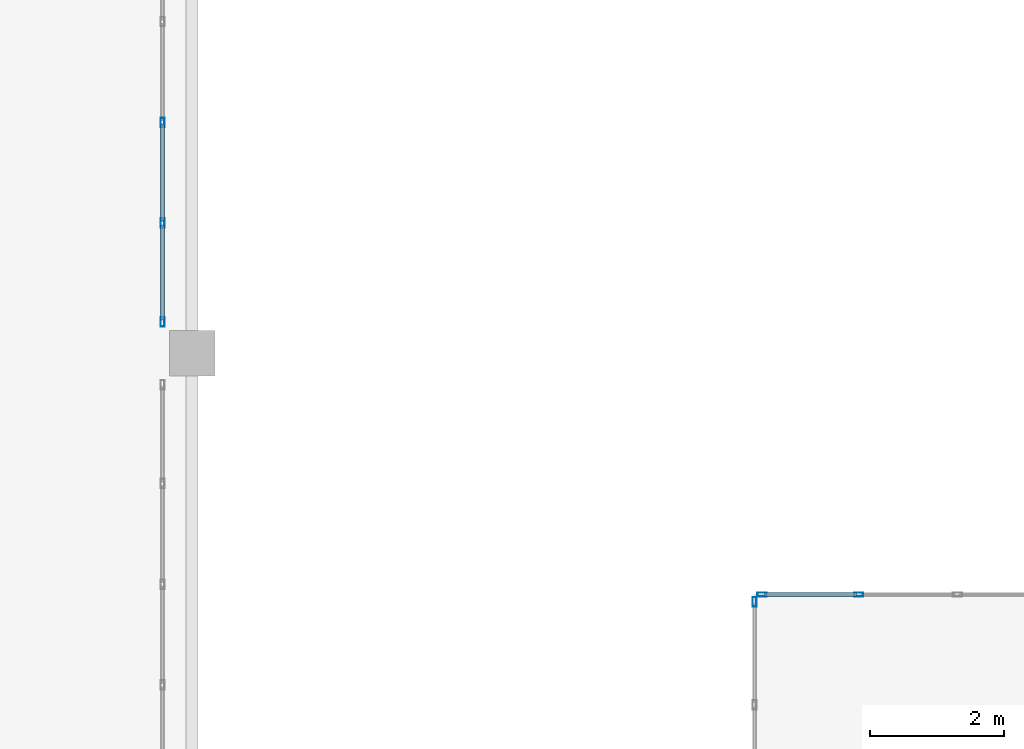
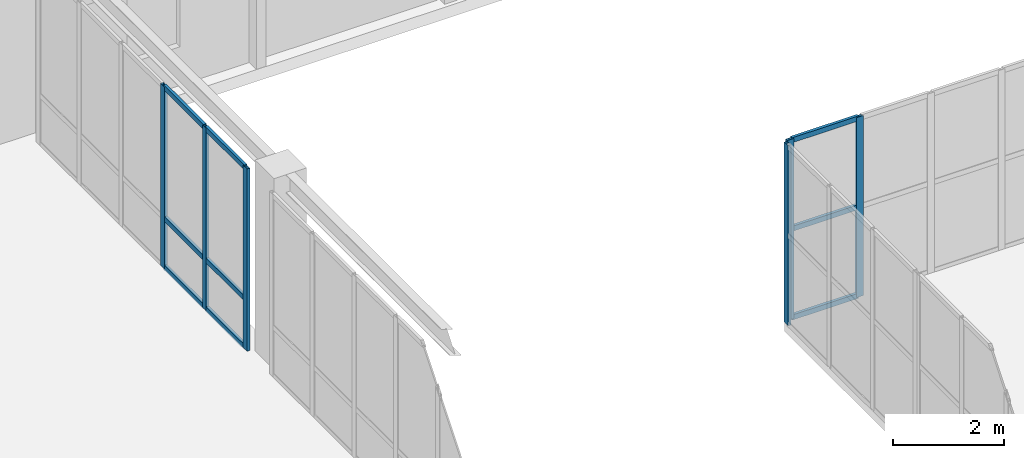
# One storey, part 69 of 140: 15 members, 3 elements without a shape of their own.
"""IFC4 building model written with IfcOpenShell, lengths in metres."""

from ifc_helpers import new_model, si_unit, direction, frame, origin, origin_2d, place, context, subcontext, project, spatial, hollow_rectangle, extrude, material, layer, layer_set, material_profile, profile_set, type_object, element, aggregate, save


model = new_model("IFC4")

# Units and contexts
model_context = context("Model", 3, precision=1e-05, world=origin(), true_north=direction((0.0, 1.0)))
body_context = subcontext(model_context, "Body", "Model", "MODEL_VIEW")
ifc_project = project(units=[si_unit("LENGTHUNIT", "METRE"), si_unit("AREAUNIT", "SQUARE_METRE"), si_unit("VOLUMEUNIT", "CUBIC_METRE"), si_unit("PLANEANGLEUNIT", "RADIAN"), si_unit("MASSUNIT", "GRAM", prefix="KILO")], contexts=[model_context])

# Site, building, storey
site_placement = place(None, origin())
site = spatial("IfcSite", under=ifc_project, at=site_placement, CompositionType="ELEMENT")
building_placement = place(site_placement, origin())
building = spatial("IfcBuilding", under=site, at=building_placement, Name="Trelvath General Hospital", CompositionType="ELEMENT")
storey_placement = place(building_placement, frame((0.0, 0.0, 16.199951171875)))
storey = spatial("IfcBuildingStorey", under=building, at=storey_placement, Name="L04", CompositionType="ELEMENT", Elevation=16.199951171875)

# Curtain wall, members
ifc_material_1 = material(Name="Anodised aluminium and low-E glass", Category="aluminium")
ifc_layer_1 = layer(ifc_material_1, 0.139892578125)
ifc_layer_set_1 = layer_set([ifc_layer_1], Name="Anodised aluminium and low-E glass")
curtain_wall_type_1 = type_object("IfcCurtainWallType", Name="CW CrystalCube 737 396 14", PredefinedType="USERDEFINED", material=ifc_layer_set_1)
curtain_wall_1_placement = place(storey_placement, origin())
curtain_wall_1 = element("IfcCurtainWall", 1, at=curtain_wall_1_placement, inside=storey, type_object=curtain_wall_type_1, Name="Crystal Cube Curtain Wall CUBE-E-T1 N1 L04", ObjectType="Unitised Glazed Curtain Wall", PredefinedType="USERDEFINED")
ifc_material_2 = material(Name="Anodised aluminium", Category="aluminium")
ifc_material_profile_1 = material_profile(ifc_material_2, hollow_rectangle(XDim=0.06005859375, YDim=0.139892578125, WallThickness=0.00390625, at=origin_2d()), Name="RHS60x140x4")
ifc_profile_set_1 = profile_set([ifc_material_profile_1], Name="Anodised aluminium")
member_type_1 = type_object("IfcMemberType", Name="CurtainMullion 60x140", PredefinedType="MULLION", material=ifc_profile_set_1)
member_1_placement = place(storey_placement, frame((92.510009765625, 80.39990234375, 0.0), z_axis=(0.0, 0.0, 1.0), x_axis=(0.0, 1.0, 0.0)))
member_1 = element("IfcMember", 2, at=member_1_placement, type_object=member_type_1, Name="CW-285 mullion 1", PredefinedType="MULLION", context=body_context, shape_type="SweptSolid", body=[
    extrude(hollow_rectangle(XDim=0.06005859375, YDim=0.139892578125, WallThickness=0.00390625, at=origin_2d()), origin(), (0.0, 0.0, 1.0), 3.9599609375),
])
member_2_placement = place(storey_placement, frame((93.953369140625, 80.39990234375, 0.0), z_axis=(0.0, 0.0, 1.0), x_axis=(0.0, 1.0, 0.0)))
member_2 = element("IfcMember", 3, at=member_2_placement, type_object=member_type_1, Name="CW-285 mullion 2", PredefinedType="MULLION", context=body_context, shape_type="SweptSolid", body=[
    extrude(hollow_rectangle(XDim=0.06005859375, YDim=0.139892578125, WallThickness=0.00390625, at=origin_2d()), origin(), (0.0, 0.0, 1.0), 3.9599609375),
])

# Curtain wall, member
ifc_material_3 = material(Name="Anodised aluminium and low-E glass", Category="aluminium")
ifc_layer_2 = layer(ifc_material_3, 0.139892578125)
ifc_layer_set_2 = layer_set([ifc_layer_2], Name="Anodised aluminium and low-E glass")
curtain_wall_type_2 = type_object("IfcCurtainWallType", Name="CW CrystalCube 470 396 14", PredefinedType="USERDEFINED", material=ifc_layer_set_2)
curtain_wall_2_placement = place(storey_placement, origin())
curtain_wall_2 = element("IfcCurtainWall", 4, at=curtain_wall_2_placement, inside=storey, type_object=curtain_wall_type_2, Name="Crystal Cube Curtain Wall CUBE-E-T1 W5 L04", ObjectType="Unitised Glazed Curtain Wall", PredefinedType="USERDEFINED")
member_3_placement = place(storey_placement, frame((92.39990234375, 80.2900390625, 0.0), z_axis=(0.0, 0.0, 1.0), x_axis=(-1.0, 0.0, 0.0)))
member_3 = element("IfcMember", 5, at=member_3_placement, type_object=member_type_1, Name="CW-295 mullion 4", PredefinedType="MULLION", context=body_context, shape_type="SweptSolid", body=[
    extrude(hollow_rectangle(XDim=0.06005859375, YDim=0.139892578125, WallThickness=0.00390625, at=origin_2d()), origin(), (0.0, 0.0, 1.0), 3.9599609375),
])
aggregate(curtain_wall_2, [member_3])

# Curtain wall, members
ifc_material_4 = material(Name="Anodised aluminium and low-E glass", Category="aluminium")
ifc_layer_3 = layer(ifc_material_4, 0.139892578125)
ifc_layer_set_3 = layer_set([ifc_layer_3], Name="Anodised aluminium and low-E glass")
curtain_wall_type_3 = type_object("IfcCurtainWallType", Name="CW Bridge 752 401", PredefinedType="USERDEFINED", material=ifc_layer_set_3)
curtain_wall_3_placement = place(storey_placement, origin())
curtain_wall_3 = element("IfcCurtainWall", 6, at=curtain_wall_3_placement, inside=storey, type_object=curtain_wall_type_3, Name="Glazed Bridge Curtain Wall BRG-N-C E L04", ObjectType="Unitised Glazed Curtain Wall", PredefinedType="USERDEFINED")
member_4_placement = place(storey_placement, frame((83.56005859375, 87.447998046875, 0.0), z_axis=(0.0, 0.0, 1.0), x_axis=(1.0, 0.0, 0.0)))
member_4 = element("IfcMember", 7, at=member_4_placement, type_object=member_type_1, Name="CW-301 mullion 4", PredefinedType="MULLION", context=body_context, shape_type="SweptSolid", body=[
    extrude(hollow_rectangle(XDim=0.06005859375, YDim=0.139892578125, WallThickness=0.00390625, at=origin_2d()), origin(), (0.0, 0.0, 1.0), 4.010009765625),
])
member_5_placement = place(storey_placement, frame((83.56005859375, 85.944091796875, 0.0), z_axis=(0.0, 0.0, 1.0), x_axis=(1.0, 0.0, 0.0)))
member_5 = element("IfcMember", 8, at=member_5_placement, type_object=member_type_1, Name="CW-301 mullion 5", PredefinedType="MULLION", context=body_context, shape_type="SweptSolid", body=[
    extrude(hollow_rectangle(XDim=0.06005859375, YDim=0.139892578125, WallThickness=0.00390625, at=origin_2d()), origin(), (0.0, 0.0, 1.0), 4.010009765625),
])
member_6_placement = place(storey_placement, frame((83.56005859375, 84.469970703125, 0.0), z_axis=(0.0, 0.0, 1.0), x_axis=(1.0, 0.0, 0.0)))
member_6 = element("IfcMember", 9, at=member_6_placement, type_object=member_type_1, Name="CW-301 mullion 6", PredefinedType="MULLION", context=body_context, shape_type="SweptSolid", body=[
    extrude(hollow_rectangle(XDim=0.06005859375, YDim=0.139892578125, WallThickness=0.00390625, at=origin_2d()), origin(), (0.0, 0.0, 1.0), 4.010009765625),
])

# Member
ifc_material_5 = material(Name="Anodised aluminium", Category="aluminium")
ifc_material_profile_2 = material_profile(ifc_material_5, hollow_rectangle(XDim=0.06005859375, YDim=0.110107421875, WallThickness=0.00390625, at=origin_2d()), Name="RHS60x110x4")
ifc_profile_set_2 = profile_set([ifc_material_profile_2], Name="Anodised aluminium")
member_type_2 = type_object("IfcMemberType", Name="CurtainTransom 60x110", PredefinedType="USERDEFINED", material=ifc_profile_set_2)
member_7_placement = place(storey_placement, frame((92.5400390625, 80.39990234375, 0.030029296875), z_axis=(1.0, 0.0, 0.0), x_axis=(0.0, 1.0, 0.0)))
member_7 = element("IfcMember", 10, at=member_7_placement, type_object=member_type_2, Name="CW-285 transom 1.1", ObjectType="TRANSOM", PredefinedType="USERDEFINED", context=body_context, shape_type="SweptSolid", body=[
    extrude(hollow_rectangle(XDim=0.06005859375, YDim=0.110107421875, WallThickness=0.00390625, at=origin_2d()), origin(), (0.0, 0.0, 1.0), 1.38330078125),
])

member_8_placement = place(storey_placement, frame((92.5400390625, 80.39990234375, 1.97998046875), z_axis=(1.0, 0.0, 0.0), x_axis=(0.0, 1.0, 0.0)))
member_8 = element("IfcMember", 11, at=member_8_placement, type_object=member_type_2, Name="CW-285 transom 1.2", ObjectType="TRANSOM", PredefinedType="USERDEFINED", context=body_context, shape_type="SweptSolid", body=[
    extrude(hollow_rectangle(XDim=0.06005859375, YDim=0.110107421875, WallThickness=0.00390625, at=origin_2d()), origin(), (0.0, 0.0, 1.0), 1.38330078125),
])

member_9_placement = place(storey_placement, frame((92.5400390625, 80.39990234375, 3.929931640625), z_axis=(1.0, 0.0, 0.0), x_axis=(0.0, 1.0, 0.0)))
member_9 = element("IfcMember", 12, at=member_9_placement, type_object=member_type_2, Name="CW-285 transom 1.3", ObjectType="TRANSOM", PredefinedType="USERDEFINED", context=body_context, shape_type="SweptSolid", body=[
    extrude(hollow_rectangle(XDim=0.06005859375, YDim=0.110107421875, WallThickness=0.00390625, at=origin_2d()), origin(), (0.0, 0.0, 1.0), 1.38330078125),
])

aggregate(curtain_wall_1, [member_1, member_2, member_7, member_8, member_9])

member_10_placement = place(storey_placement, frame((83.56005859375, 87.41796875, 0.030029296875), z_axis=(0.0, -1.0, 0.0), x_axis=(1.0, 0.0, 0.0)))
member_10 = element("IfcMember", 13, at=member_10_placement, type_object=member_type_2, Name="CW-301 transom 4.1", ObjectType="TRANSOM", PredefinedType="USERDEFINED", context=body_context, shape_type="SweptSolid", body=[
    extrude(hollow_rectangle(XDim=0.06005859375, YDim=0.110107421875, WallThickness=0.00390625, at=origin_2d()), origin(), (0.0, 0.0, 1.0), 1.44384765625),
])

member_11_placement = place(storey_placement, frame((83.56005859375, 87.41796875, 1.10009765625), z_axis=(0.0, -1.0, 0.0), x_axis=(1.0, 0.0, 0.0)))
member_11 = element("IfcMember", 14, at=member_11_placement, type_object=member_type_2, Name="CW-301 transom 4.2", ObjectType="TRANSOM", PredefinedType="USERDEFINED", context=body_context, shape_type="SweptSolid", body=[
    extrude(hollow_rectangle(XDim=0.06005859375, YDim=0.110107421875, WallThickness=0.00390625, at=origin_2d()), origin(), (0.0, 0.0, 1.0), 1.44384765625),
])

member_12_placement = place(storey_placement, frame((83.56005859375, 87.41796875, 3.97998046875), z_axis=(0.0, -1.0, 0.0), x_axis=(1.0, 0.0, 0.0)))
member_12 = element("IfcMember", 15, at=member_12_placement, type_object=member_type_2, Name="CW-301 transom 4.3", ObjectType="TRANSOM", PredefinedType="USERDEFINED", context=body_context, shape_type="SweptSolid", body=[
    extrude(hollow_rectangle(XDim=0.06005859375, YDim=0.110107421875, WallThickness=0.00390625, at=origin_2d()), origin(), (0.0, 0.0, 1.0), 1.44384765625),
])

member_13_placement = place(storey_placement, frame((83.56005859375, 85.9140625, 0.030029296875), z_axis=(0.0, -1.0, 0.0), x_axis=(1.0, 0.0, 0.0)))
member_13 = element("IfcMember", 16, at=member_13_placement, type_object=member_type_2, Name="CW-301 transom 5.1", ObjectType="TRANSOM", PredefinedType="USERDEFINED", context=body_context, shape_type="SweptSolid", body=[
    extrude(hollow_rectangle(XDim=0.06005859375, YDim=0.110107421875, WallThickness=0.00390625, at=origin_2d()), origin(), (0.0, 0.0, 1.0), 1.4140625),
])

member_14_placement = place(storey_placement, frame((83.56005859375, 85.9140625, 1.10009765625), z_axis=(0.0, -1.0, 0.0), x_axis=(1.0, 0.0, 0.0)))
member_14 = element("IfcMember", 17, at=member_14_placement, type_object=member_type_2, Name="CW-301 transom 5.2", ObjectType="TRANSOM", PredefinedType="USERDEFINED", context=body_context, shape_type="SweptSolid", body=[
    extrude(hollow_rectangle(XDim=0.06005859375, YDim=0.110107421875, WallThickness=0.00390625, at=origin_2d()), origin(), (0.0, 0.0, 1.0), 1.4140625),
])

member_15_placement = place(storey_placement, frame((83.56005859375, 85.9140625, 3.97998046875), z_axis=(0.0, -1.0, 0.0), x_axis=(1.0, 0.0, 0.0)))
member_15 = element("IfcMember", 18, at=member_15_placement, type_object=member_type_2, Name="CW-301 transom 5.3", ObjectType="TRANSOM", PredefinedType="USERDEFINED", context=body_context, shape_type="SweptSolid", body=[
    extrude(hollow_rectangle(XDim=0.06005859375, YDim=0.110107421875, WallThickness=0.00390625, at=origin_2d()), origin(), (0.0, 0.0, 1.0), 1.4140625),
])

aggregate(curtain_wall_3, [member_4, member_5, member_6, member_10, member_11, member_12, member_13, member_14, member_15])

save(model, "model.ifc")
